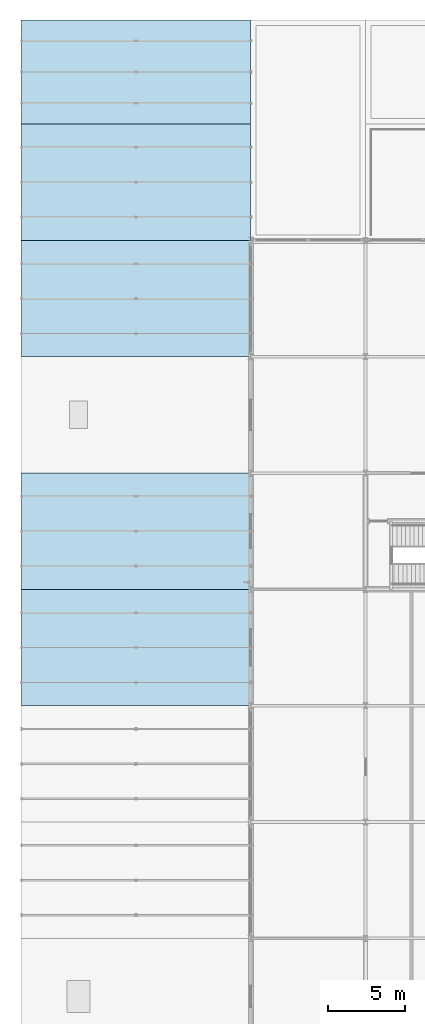
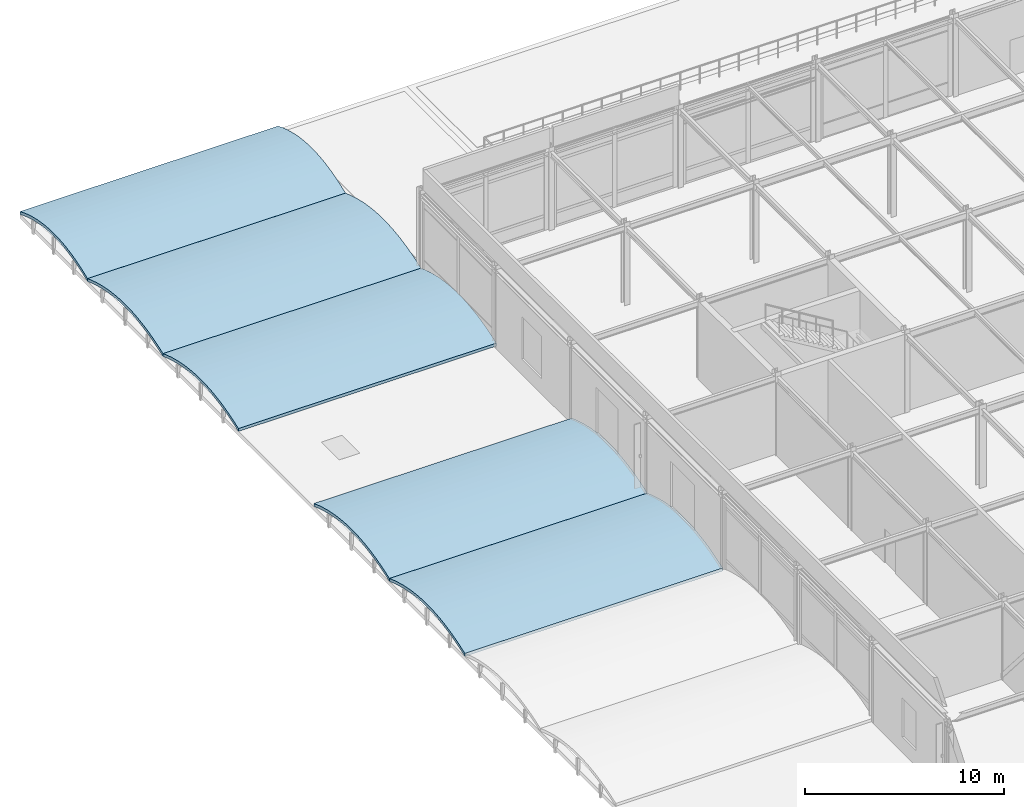
# One storey, part 67 of 79: 5 roofs.
"""IFC4 building model written with IfcOpenShell, lengths in metres."""

from ifc_helpers import new_model, si_unit, direction, frame, origin, place, context, subcontext, project, spatial, polyline, outline, extrude, material, layer, layer_set, type_object, element, save


model = new_model("IFC4")

# Units and contexts
model_context = context("Model", 3, precision=1e-05, world=origin(), true_north=direction((0.0, 1.0)))
body_context = subcontext(model_context, "Body", "Model", "MODEL_VIEW")
ifc_project = project(units=[si_unit("LENGTHUNIT", "METRE"), si_unit("AREAUNIT", "SQUARE_METRE"), si_unit("VOLUMEUNIT", "CUBIC_METRE"), si_unit("PLANEANGLEUNIT", "RADIAN"), si_unit("MASSUNIT", "GRAM", prefix="KILO")], contexts=[model_context])

# Site, building, storey
site_placement = place(None, origin())
site = spatial("IfcSite", under=ifc_project, at=site_placement, CompositionType="ELEMENT")
building_placement = place(site_placement, origin())
building = spatial("IfcBuilding", under=site, at=building_placement, Name="Shalkamar Park Central Library", CompositionType="ELEMENT")
storey_placement = place(building_placement, frame((0.0, 0.0, 10.5)))
storey = spatial("IfcBuildingStorey", under=building, at=storey_placement, Name="L03", CompositionType="ELEMENT", Elevation=10.5)

# Roofs
ifc_material = material(Name="Concrete C35/45", Category="concrete")
ifc_layer = layer(ifc_material, 0.179931640625)
ifc_layer_set = layer_set([ifc_layer], Name="Concrete C35/45")
roof_type = type_object("IfcRoofType", Name="Polychrome Barrel Vault Roof", PredefinedType="BARREL_ROOF", material=ifc_layer_set)
roof_1_placement = place(storey_placement, frame((135.0, 297.0, 0.0), z_axis=(0.0, 0.0, 1.0), x_axis=(1.0, 0.0, 0.0)))
element("IfcRoof", 1, at=roof_1_placement, inside=storey, type_object=roof_type, Name="Barrel Vault Clerestory Roof BV-L02-W6", PredefinedType="BARREL_ROOF", context=body_context, shape_type="SweptSolid", body=[
    extrude(outline(polyline([(-3.800048828125, 0.179931640625), (-3.324951171875, 0.3486328125), (-2.85009765625, 0.494873046875), (-2.375, 0.61865234375), (-1.89990234375, 0.719970703125), (-1.425048828125, 0.798583984375), (-0.949951171875, 0.85498046875), (-0.47509765625, 0.888671875), (0.0, 0.89990234375), (0.47509765625, 0.888671875), (0.949951171875, 0.85498046875), (1.425048828125, 0.798583984375), (1.89990234375, 0.719970703125), (2.375, 0.61865234375), (2.85009765625, 0.494873046875), (3.324951171875, 0.3486328125), (3.800048828125, 0.179931640625), (3.800048828125, 0.0), (3.324951171875, 0.168701171875), (2.85009765625, 0.31494140625), (2.375, 0.438720703125), (1.89990234375, 0.5400390625), (1.425048828125, 0.61865234375), (0.949951171875, 0.675048828125), (0.47509765625, 0.708740234375), (0.0, 0.719970703125), (-0.47509765625, 0.708740234375), (-0.949951171875, 0.675048828125), (-1.425048828125, 0.61865234375), (-1.89990234375, 0.5400390625), (-2.375, 0.438720703125), (-2.85009765625, 0.31494140625), (-3.324951171875, 0.168701171875), (-3.800048828125, 0.0), (-3.800048828125, 0.179931640625)])), frame((0.0, 0.0, 0.0), z_axis=(1.0, 0.0, 0.0), x_axis=(0.0, 1.0, 0.0)), (0.0, 0.0, 1.0), 15.0),
])
roof_2_placement = place(storey_placement, frame((135.0, 304.60009765625, 0.0), z_axis=(0.0, 0.0, 1.0), x_axis=(1.0, 0.0, 0.0)))
element("IfcRoof", 2, at=roof_2_placement, inside=storey, type_object=roof_type, Name="Barrel Vault Clerestory Roof BV-L02-W7", PredefinedType="BARREL_ROOF", context=body_context, shape_type="SweptSolid", body=[
    extrude(outline(polyline([(-3.7998046875, 0.179931640625), (-3.324951171875, 0.3486328125), (-2.849853515625, 0.494873046875), (-2.375, 0.61865234375), (-1.89990234375, 0.719970703125), (-1.425048828125, 0.798583984375), (-0.949951171875, 0.85498046875), (-0.47509765625, 0.888671875), (0.0, 0.89990234375), (0.47509765625, 0.888671875), (0.949951171875, 0.85498046875), (1.425048828125, 0.798583984375), (1.89990234375, 0.719970703125), (2.375, 0.61865234375), (2.849853515625, 0.494873046875), (3.324951171875, 0.3486328125), (3.7998046875, 0.179931640625), (3.7998046875, 0.0), (3.324951171875, 0.168701171875), (2.849853515625, 0.31494140625), (2.375, 0.438720703125), (1.89990234375, 0.5400390625), (1.425048828125, 0.61865234375), (0.949951171875, 0.675048828125), (0.47509765625, 0.708740234375), (0.0, 0.719970703125), (-0.47509765625, 0.708740234375), (-0.949951171875, 0.675048828125), (-1.425048828125, 0.61865234375), (-1.89990234375, 0.5400390625), (-2.375, 0.438720703125), (-2.849853515625, 0.31494140625), (-3.324951171875, 0.168701171875), (-3.7998046875, 0.0), (-3.7998046875, 0.179931640625)])), frame((0.0, 0.0, 0.0), z_axis=(1.0, 0.0, 0.0), x_axis=(0.0, 1.0, 0.0)), (0.0, 0.0, 1.0), 15.0),
])
roof_3_placement = place(storey_placement, frame((135.0, 319.800048828125, 0.0), z_axis=(0.0, 0.0, 1.0), x_axis=(1.0, 0.0, 0.0)))
element("IfcRoof", 3, at=roof_3_placement, inside=storey, type_object=roof_type, Name="Barrel Vault Clerestory Roof BV-L02-W8", PredefinedType="BARREL_ROOF", context=body_context, shape_type="SweptSolid", body=[
    extrude(outline(polyline([(-3.800048828125, 0.179931640625), (-3.324951171875, 0.3486328125), (-2.85009765625, 0.494873046875), (-2.375, 0.61865234375), (-1.89990234375, 0.719970703125), (-1.425048828125, 0.798583984375), (-0.949951171875, 0.85498046875), (-0.47509765625, 0.888671875), (0.0, 0.89990234375), (0.47509765625, 0.888671875), (0.949951171875, 0.85498046875), (1.425048828125, 0.798583984375), (1.89990234375, 0.719970703125), (2.375, 0.61865234375), (2.85009765625, 0.494873046875), (3.324951171875, 0.3486328125), (3.800048828125, 0.179931640625), (3.800048828125, 0.0), (3.324951171875, 0.168701171875), (2.85009765625, 0.31494140625), (2.375, 0.438720703125), (1.89990234375, 0.5400390625), (1.425048828125, 0.61865234375), (0.949951171875, 0.675048828125), (0.47509765625, 0.708740234375), (0.0, 0.719970703125), (-0.47509765625, 0.708740234375), (-0.949951171875, 0.675048828125), (-1.425048828125, 0.61865234375), (-1.89990234375, 0.5400390625), (-2.375, 0.438720703125), (-2.85009765625, 0.31494140625), (-3.324951171875, 0.168701171875), (-3.800048828125, 0.0), (-3.800048828125, 0.179931640625)])), frame((0.0, 0.0, 0.0), z_axis=(1.0, 0.0, 0.0), x_axis=(0.0, 1.0, 0.0)), (0.0, 0.0, 1.0), 15.0),
])
roof_4_placement = place(storey_placement, frame((135.0, 327.39990234375, 0.0), z_axis=(0.0, 0.0, 1.0), x_axis=(1.0, 0.0, 0.0)))
element("IfcRoof", 4, at=roof_4_placement, inside=storey, type_object=roof_type, Name="Barrel Vault Clerestory Roof BV-L02-W9", PredefinedType="BARREL_ROOF", context=body_context, shape_type="SweptSolid", body=[
    extrude(outline(polyline([(-3.7998046875, 0.179931640625), (-3.324951171875, 0.3486328125), (-2.849853515625, 0.494873046875), (-2.375, 0.61865234375), (-1.89990234375, 0.719970703125), (-1.425048828125, 0.798583984375), (-0.949951171875, 0.85498046875), (-0.47509765625, 0.888671875), (0.0, 0.89990234375), (0.47509765625, 0.888671875), (0.949951171875, 0.85498046875), (1.425048828125, 0.798583984375), (1.89990234375, 0.719970703125), (2.375, 0.61865234375), (2.849853515625, 0.494873046875), (3.324951171875, 0.3486328125), (3.7998046875, 0.179931640625), (3.7998046875, 0.0), (3.324951171875, 0.168701171875), (2.849853515625, 0.31494140625), (2.375, 0.438720703125), (1.89990234375, 0.5400390625), (1.425048828125, 0.61865234375), (0.949951171875, 0.675048828125), (0.47509765625, 0.708740234375), (0.0, 0.719970703125), (-0.47509765625, 0.708740234375), (-0.949951171875, 0.675048828125), (-1.425048828125, 0.61865234375), (-1.89990234375, 0.5400390625), (-2.375, 0.438720703125), (-2.849853515625, 0.31494140625), (-3.324951171875, 0.168701171875), (-3.7998046875, 0.0), (-3.7998046875, 0.179931640625)])), frame((0.0, 0.0, 0.0), z_axis=(1.0, 0.0, 0.0), x_axis=(0.0, 1.0, 0.0)), (0.0, 0.0, 1.0), 15.0),
])
roof_5_placement = place(storey_placement, frame((135.0, 334.60009765625, 0.0), z_axis=(0.0, 0.0, 1.0), x_axis=(1.0, 0.0, 0.0)))
element("IfcRoof", 5, at=roof_5_placement, inside=storey, type_object=roof_type, Name="Barrel Vault Clerestory Roof BV-L02-W10", PredefinedType="BARREL_ROOF", context=body_context, shape_type="SweptSolid", body=[
    extrude(outline(polyline([(-3.39990234375, 0.179931640625), (-2.97509765625, 0.3486328125), (-2.550048828125, 0.494873046875), (-2.125, 0.61865234375), (-1.699951171875, 0.719970703125), (-1.27490234375, 0.798583984375), (-0.85009765625, 0.85498046875), (-0.425048828125, 0.888671875), (0.0, 0.89990234375), (0.425048828125, 0.888671875), (0.85009765625, 0.85498046875), (1.27490234375, 0.798583984375), (1.699951171875, 0.719970703125), (2.125, 0.61865234375), (2.550048828125, 0.494873046875), (2.97509765625, 0.3486328125), (3.39990234375, 0.179931640625), (3.39990234375, 0.0), (2.97509765625, 0.168701171875), (2.550048828125, 0.31494140625), (2.125, 0.438720703125), (1.699951171875, 0.5400390625), (1.27490234375, 0.61865234375), (0.85009765625, 0.675048828125), (0.425048828125, 0.708740234375), (0.0, 0.719970703125), (-0.425048828125, 0.708740234375), (-0.85009765625, 0.675048828125), (-1.27490234375, 0.61865234375), (-1.699951171875, 0.5400390625), (-2.125, 0.438720703125), (-2.550048828125, 0.31494140625), (-2.97509765625, 0.168701171875), (-3.39990234375, 0.0), (-3.39990234375, 0.179931640625)])), frame((0.0, 0.0, 0.0), z_axis=(1.0, 0.0, 0.0), x_axis=(0.0, 1.0, 0.0)), (0.0, 0.0, 1.0), 15.0),
])

save(model, "model.ifc")
